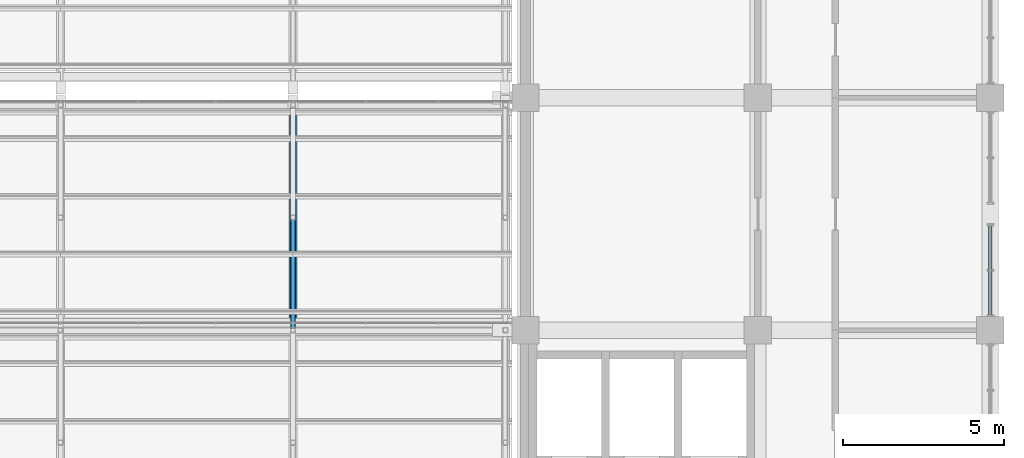
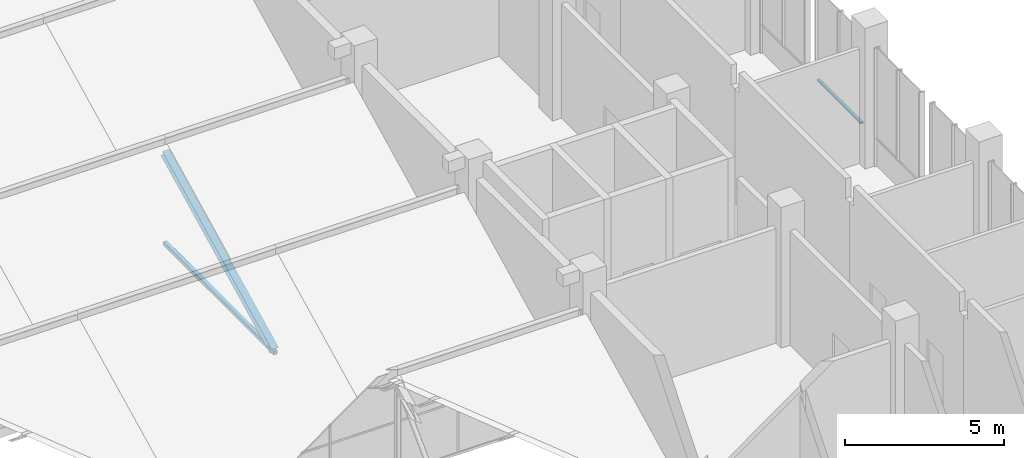
# One storey, part 50 of 83: 3 members, 1 element without a shape of its own.
"""IFC4 building model written with IfcOpenShell, lengths in metres."""

import ifcopenshell
import ifcopenshell.guid

model = None  # the IFC model being written
_history = None  # IfcOwnerHistory: only IFC2X3 demands one
_inside = {}  # id of a spatial element -> (the spatial element, [elements in it])
_under = {}  # id of a project, library or spatial element -> (it, [spatial elements below it])
_declared = {}  # id of a project -> (the project, [libraries it declares])
_typed = {}  # id of a type object -> (the type object, [elements of that type])
_made_of = {}  # id of a material, layer set ... -> (it, [elements and type objects made of it])


def new_model(schema):
    """Start an empty IFC model of exactly this schema.

    Asked for "IFC4X3", IfcOpenShell would pick the latest addendum, in which some entities
    have other attributes; the version numbers below select the first issue.
    IFC2X3 requires an IfcOwnerHistory on every rooted entity: one is made here for all.
    """
    global model, _history
    if schema == "IFC4X3":
        model = ifcopenshell.file(schema_version=(4, 3, 0, 0))
    else:
        model = ifcopenshell.file(schema=schema)
    _inside.clear()
    _under.clear()
    _declared.clear()
    _typed.clear()
    _made_of.clear()
    _history = None
    if model.schema == "IFC2X3":
        org = make("IfcOrganization", Name="unknown")
        user = make(
            "IfcPersonAndOrganization",
            ThePerson=make("IfcPerson", FamilyName="unknown"),
            TheOrganization=org,
        )
        app = make(
            "IfcApplication",
            ApplicationDeveloper=org,
            Version="unknown",
            ApplicationFullName="unknown",
            ApplicationIdentifier="unknown",
        )
        _history = make(
            "IfcOwnerHistory",
            OwningUser=user,
            OwningApplication=app,
            ChangeAction="ADDED",
            CreationDate=0,
        )
    return model


def make(cls, **values):
    """One entity of the class cls with the attributes given. An attribute that is None is left unset."""
    return model.create_entity(
        cls, **{name: value for name, value in values.items() if value is not None}
    )


def rooted(cls, **values):
    """An entity with a GlobalId (a new one), such as an element, a storey or a relation."""
    return make(cls, GlobalId=ifcopenshell.guid.new(), OwnerHistory=_history, **values)


def si_unit(unit_type, name, prefix=None):
    """IfcSIUnit, for example si_unit("LENGTHUNIT", "METRE", prefix="MILLI")."""
    return make("IfcSIUnit", UnitType=unit_type, Prefix=prefix, Name=name)


def assignment(units):
    """IfcUnitAssignment: the units of a project."""
    return None if units is None else make("IfcUnitAssignment", Units=units)


def point(xyz):
    """IfcCartesianPoint."""
    return None if xyz is None else make("IfcCartesianPoint", Coordinates=xyz)


def direction(xyz):
    """IfcDirection."""
    return None if xyz is None else make("IfcDirection", DirectionRatios=xyz)


def frame(location, z_axis=None, x_axis=None):
    """IfcAxis2Placement3D, a coordinate frame: its origin and axes. An axis left out is left unset."""
    return make(
        "IfcAxis2Placement3D",
        Location=point(location),
        Axis=direction(z_axis),
        RefDirection=direction(x_axis),
    )


def frame_2d(location, x_axis=None):
    """IfcAxis2Placement2D, a coordinate frame in the plane: its origin and x axis."""
    return make(
        "IfcAxis2Placement2D", Location=point(location), RefDirection=direction(x_axis)
    )


def origin():
    """The frame at (0, 0, 0) with its axes left unset."""
    return frame((0.0, 0.0, 0.0))


def origin_2d():
    """The frame at (0, 0) in the plane with its x axis left unset."""
    return frame_2d((0.0, 0.0))


def place(relative_to, where):
    """IfcLocalPlacement: puts the frame where relative to a parent placement (None: the world)."""
    return make(
        "IfcLocalPlacement", PlacementRelTo=relative_to, RelativePlacement=where
    )


def context(
    kind, dimensions, precision=None, world=None, true_north=None, identifier=None
):
    """IfcGeometricRepresentationContext, for example the 3D "Model" context."""
    return make(
        "IfcGeometricRepresentationContext",
        ContextIdentifier=identifier,
        ContextType=kind,
        CoordinateSpaceDimension=dimensions,
        Precision=precision,
        WorldCoordinateSystem=world,
        TrueNorth=true_north,
    )


def subcontext(parent, identifier, kind, view, scale=None):
    """IfcGeometricRepresentationSubContext, for example "Body" below "Model"."""
    return make(
        "IfcGeometricRepresentationSubContext",
        ContextIdentifier=identifier,
        ContextType=kind,
        ParentContext=parent,
        TargetScale=scale,
        TargetView=view,
    )


def project(units=None, contexts=None):
    """IfcProject with its units and contexts."""
    return rooted(
        "IfcProject",
        Name="project",
        RepresentationContexts=contexts,
        UnitsInContext=assignment(units),
    )


def spatial(cls, under=None, at=None, **own):
    """A site, building, storey or space (cls), placed at a placement, below another one or the project."""
    s = rooted(cls, ObjectPlacement=at, **own)
    if under is not None:
        _under.setdefault(under.id(), (under, []))[1].append(s)
    return s


def profile(cls, at=None, kind="AREA", **sizes):
    """A parametric profile (cls). Its sizes go by their IFC names, for example OverallWidth=200.0."""
    return make(cls, ProfileType=kind, Position=at, **sizes)


def hollow_rectangle(**sizes):
    """IfcRectangleHollowProfileDef."""
    return profile("IfcRectangleHollowProfileDef", **sizes)


def i_section(**sizes):
    """IfcIShapeProfileDef."""
    return profile("IfcIShapeProfileDef", **sizes)


def extrude(swept, where, along, depth):
    """IfcExtrudedAreaSolid: the profile swept, set in the frame where, extruded along a direction by depth."""
    return make(
        "IfcExtrudedAreaSolid",
        SweptArea=swept,
        Position=where,
        ExtrudedDirection=direction(along),
        Depth=depth,
    )


def shape(context_of_items, identifier, shape_type, items):
    """IfcShapeRepresentation: the items that make up one representation, for example the "Body"."""
    return make(
        "IfcShapeRepresentation",
        ContextOfItems=context_of_items,
        RepresentationIdentifier=identifier,
        RepresentationType=shape_type,
        Items=items,
    )


def material(Name=None, Category=None):
    """IfcMaterial."""
    return make("IfcMaterial", Name=Name, Category=Category)


def material_profile(
    of_material, cross_section, Name=None, Category=None, Priority=None
):
    """IfcMaterialProfile: a cross section and its material."""
    return make(
        "IfcMaterialProfile",
        Name=Name,
        Material=of_material,
        Profile=cross_section,
        Priority=Priority,
        Category=Category,
    )


def profile_set(profiles, Name=None, composite=None):
    """IfcMaterialProfileSet."""
    return make(
        "IfcMaterialProfileSet",
        Name=Name,
        MaterialProfiles=profiles,
        CompositeProfile=composite,
    )


def made_of(thing, what):
    """Note that an element or type object is made of a material, layer set ...; save() writes the relation."""
    if what is not None:
        _made_of.setdefault(what.id(), (what, []))[1].append(thing)
    return thing


def type_object(cls, material=None, **own):
    """A type object (cls), such as IfcWallType, which elements share."""
    return made_of(rooted(cls, **own), material)


def element(
    cls,
    number,
    at=None,
    inside=None,
    cuts=None,
    type_object=None,
    material=None,
    context=None,
    identifier="Body",
    shape_type=None,
    held_by="IfcProductDefinitionShape",
    body=None,
    shapes=None,
    **own,
):
    """One element of the class cls, such as IfcWall. Its Tag is "e" and its number.

    at: its placement. inside: the storey or other place that contains it. cuts: it is an
    opening in that element (IfcRelVoidsElement). A single representation is given by context,
    identifier, shape_type and body (its items); several are given by shapes. held_by: the class
    of the entity that holds the representations. save() writes the other relations.
    """
    e = rooted(cls, Tag="e%d" % number, ObjectPlacement=at, **own)
    if body is not None:
        shapes = [shape(context, identifier, shape_type, body)]
    if shapes is not None:
        e.Representation = make(held_by, Representations=shapes)
    if inside is not None:
        _inside.setdefault(inside.id(), (inside, []))[1].append(e)
    if cuts is not None:
        rooted(
            "IfcRelVoidsElement", RelatingBuildingElement=cuts, RelatedOpeningElement=e
        )
    if type_object is not None:
        _typed.setdefault(type_object.id(), (type_object, []))[1].append(e)
    return made_of(e, material)


def aggregate(whole, parts):
    """IfcRelAggregates: a whole, such as a stair, and the parts it consists of."""
    return rooted("IfcRelAggregates", RelatingObject=whole, RelatedObjects=parts)


def save(model, path):
    """Write the relations noted so far, then the file.

    IfcRelAggregates (storeys below a building ...), IfcRelContainedInSpatialStructure (elements
    in a storey), IfcRelDefinesByType, IfcRelAssociatesMaterial and IfcRelDeclares: one each for
    every whole, place, type object, material and project.
    """
    for whole, parts in _under.values():
        aggregate(whole, parts)
    for where, things in _inside.values():
        rooted(
            "IfcRelContainedInSpatialStructure",
            RelatedElements=things,
            RelatingStructure=where,
        )
    for kind, things in _typed.values():
        rooted("IfcRelDefinesByType", RelatedObjects=things, RelatingType=kind)
    for what, things in _made_of.values():
        rooted("IfcRelAssociatesMaterial", RelatedObjects=things, RelatingMaterial=what)
    for by, libraries in _declared.values():
        rooted("IfcRelDeclares", RelatingContext=by, RelatedDefinitions=libraries)
    model.write(path)


model = new_model("IFC4")

# Units and contexts
model_context = context("Model", 3, precision=1e-05, world=origin(), true_north=direction((0.0, 1.0)))
body_context = subcontext(model_context, "Body", "Model", "MODEL_VIEW")
ifc_project = project(units=[si_unit("LENGTHUNIT", "METRE"), si_unit("AREAUNIT", "SQUARE_METRE"), si_unit("VOLUMEUNIT", "CUBIC_METRE"), si_unit("PLANEANGLEUNIT", "RADIAN"), si_unit("MASSUNIT", "GRAM", prefix="KILO")], contexts=[model_context])

# Site, building, storey
site_placement = place(None, origin())
site = spatial("IfcSite", under=ifc_project, at=site_placement, CompositionType="ELEMENT")
building_placement = place(site_placement, origin())
building = spatial("IfcBuilding", under=site, at=building_placement, Name="Silangan Lancet Faculty of Sciences", CompositionType="ELEMENT")
storey_placement = place(building_placement, frame((0.0, 0.0, 11.39990234375)))
storey = spatial("IfcBuildingStorey", under=building, at=storey_placement, Name="L02", CompositionType="ELEMENT", Elevation=11.39990234375)

# Curtain wall, member
ifc_material_1 = material(Name="Aluminium framed curtain wall with insulated glass", Category="aluminium")
curtain_wall_type = type_object("IfcCurtainWallType", Name="CW1 Commons and east block glazing", PredefinedType="NOTDEFINED", material=ifc_material_1)
curtain_wall_placement = place(storey_placement, origin())
curtain_wall = element("IfcCurtainWall", 1, at=curtain_wall_placement, inside=storey, type_object=curtain_wall_type, Name="CW1 East commons L02 bay 7", PredefinedType="NOTDEFINED")
ifc_material_2 = material(Name="Aluminium 6063-T6 extrusion", Category="aluminium")
ifc_material_profile_1 = material_profile(ifc_material_2, hollow_rectangle(XDim=0.10009765625, YDim=0.06005859375, WallThickness=0.0029296875, at=origin_2d()), Name="AL BOX 100x60x3")
ifc_profile_set_1 = profile_set([ifc_material_profile_1], Name="Aluminium 6063-T6 extrusion")
member_type_1 = type_object("IfcMemberType", Name="CT1 Transom 100x60", PredefinedType="USERDEFINED", material=ifc_profile_set_1)
member_1_placement = place(storey_placement, frame((86.39990234375, 29.284912109375, 1.070068359375), z_axis=(0.0, 1.0, 0.0), x_axis=(-1.0, 0.0, 0.0)))
member_1 = element("IfcMember", 2, at=member_1_placement, type_object=member_type_1, Name="CW1 East commons L02 bay 7 transom 1", ObjectType="TRANSOM", PredefinedType="USERDEFINED", context=body_context, shape_type="SweptSolid", body=[
    extrude(hollow_rectangle(XDim=0.10009765625, YDim=0.06005859375, WallThickness=0.0029296875, at=origin_2d()), origin(), (0.0, 0.0, 1.0), 2.7548828125),
])
aggregate(curtain_wall, [member_1])

# Members
ifc_material_3 = material(Name="Steel STKR400", Category="steel")
ifc_material_profile_2 = material_profile(ifc_material_3, hollow_rectangle(XDim=0.14990234375, YDim=0.14990234375, WallThickness=0.009033203125, InnerFilletRadius=0.009033203125, OuterFilletRadius=0.01806640625, at=origin_2d()), Name="SHS 150x150x9.0")
ifc_profile_set_2 = profile_set([ifc_material_profile_2], Name="Steel STKR400")
member_type_2 = type_object("IfcMemberType", Name="Truss bottom chord SHS 150x150x9.0", PredefinedType="CHORD", material=ifc_profile_set_2)
member_2_placement = place(storey_placement, frame((64.800048828125, 28.800048828125, 0.09521484375), z_axis=(0.0, 1.0, 0.0), x_axis=(-1.0, 0.0, 0.0)))
element("IfcMember", 3, at=member_2_placement, inside=storey, type_object=member_type_2, Name="Truss 3 bottom chord 2", PredefinedType="CHORD", context=body_context, shape_type="SweptSolid", body=[
    extrude(hollow_rectangle(XDim=0.14990234375, YDim=0.14990234375, WallThickness=0.009033203125, InnerFilletRadius=0.009033203125, OuterFilletRadius=0.01806640625, at=origin_2d()), origin(), (0.0, 0.0, 1.0), 6.969970703125),
])
ifc_material_4 = material(Name="Steel SS400", Category="steel")
ifc_material_profile_3 = material_profile(ifc_material_4, i_section(OverallWidth=0.25, OverallDepth=0.25, WebThickness=0.009033203125, FlangeThickness=0.013916015625, FilletRadius=0.01611328125, at=origin_2d()), Name="H 250x250x9x14")
ifc_profile_set_3 = profile_set([ifc_material_profile_3], Name="Steel SS400")
member_type_3 = type_object("IfcMemberType", Name="Truss top chord H 250x250x9x14", PredefinedType="CHORD", material=ifc_profile_set_3)
member_3_placement = place(storey_placement, frame((64.800048828125, 28.880615234375, 0.13525390625), z_axis=(0.0, 0.894420851771, 0.447226273734), x_axis=(-1.0, 0.0, 0.0)))
element("IfcMember", 4, at=member_3_placement, inside=storey, type_object=member_type_3, Name="Truss 3 top chord 2", PredefinedType="CHORD", context=body_context, shape_type="SweptSolid", body=[
    extrude(i_section(OverallWidth=0.25, OverallDepth=0.25, WebThickness=0.009033203125, FlangeThickness=0.013916015625, FilletRadius=0.01611328125, at=origin_2d()), origin(), (0.0, 0.0, 1.0), 7.70263671875),
])

save(model, "model.ifc")
